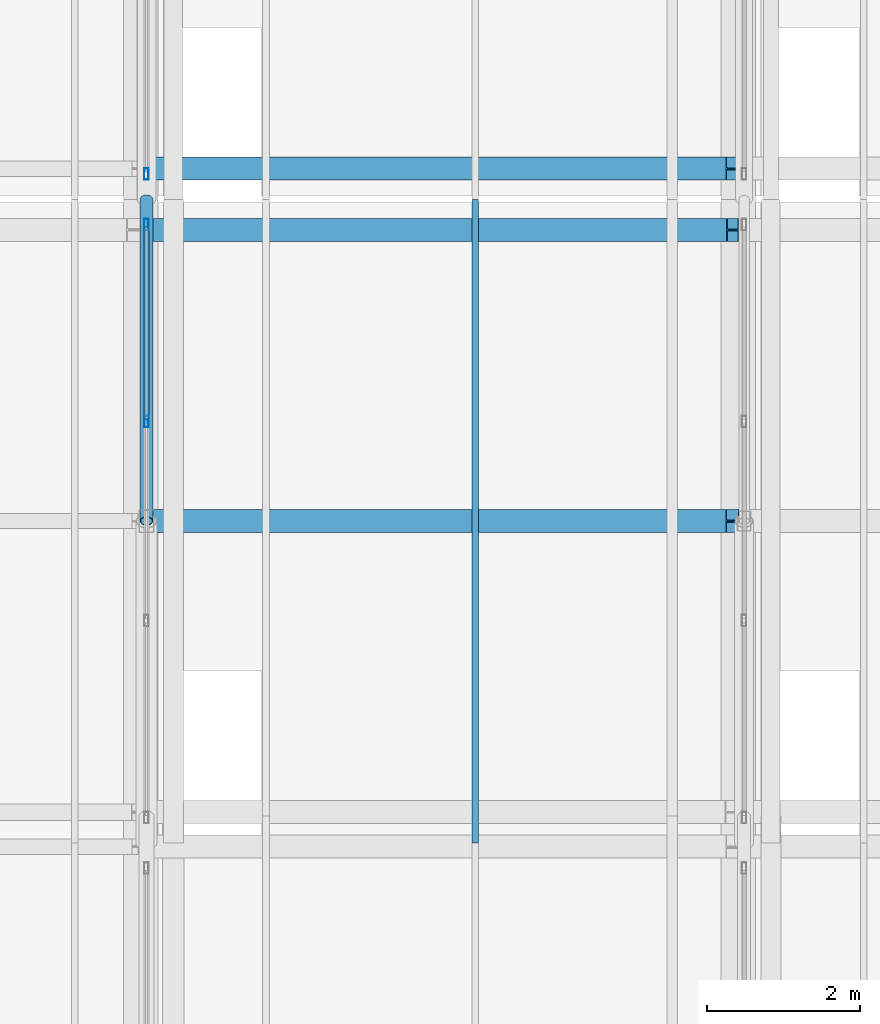
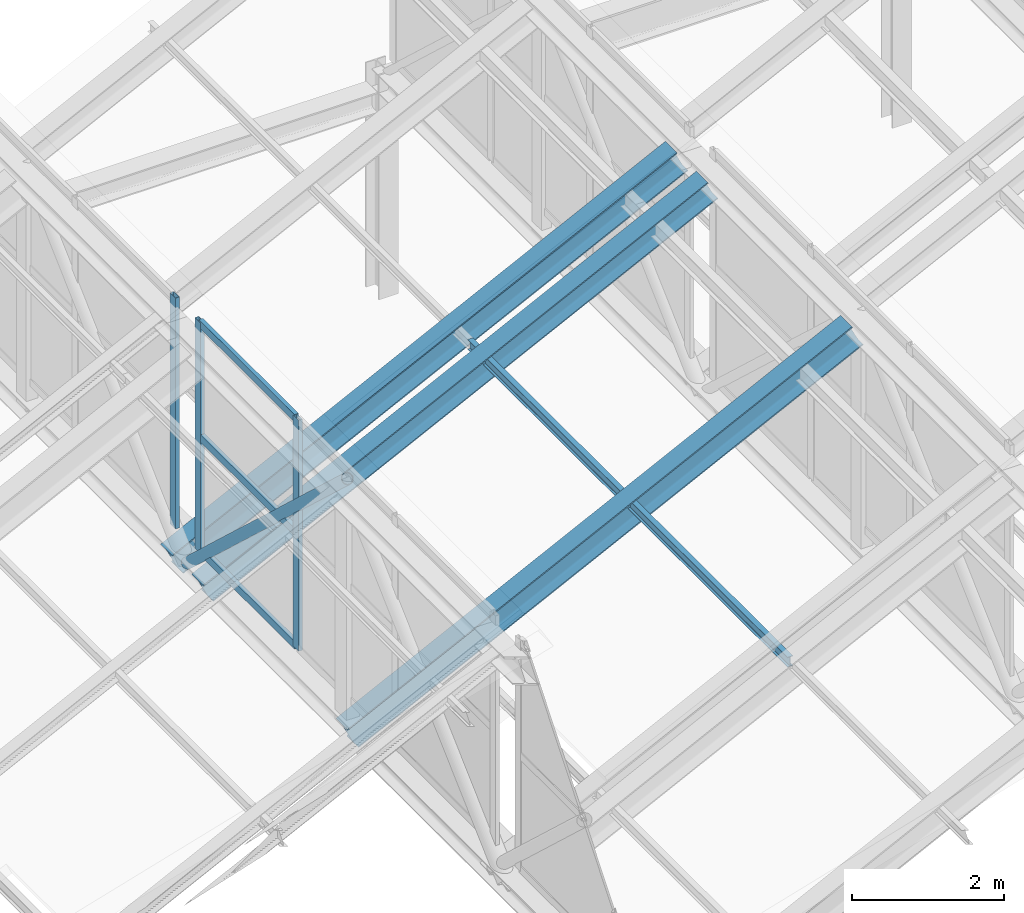
# One storey, part 32 of 101: 11 members, 2 elements without a shape of their own.
"""IFC4 building model written with IfcOpenShell, lengths in metres."""

import ifcopenshell
import ifcopenshell.guid

model = None  # the IFC model being written
_history = None  # IfcOwnerHistory: only IFC2X3 demands one
_inside = {}  # id of a spatial element -> (the spatial element, [elements in it])
_under = {}  # id of a project, library or spatial element -> (it, [spatial elements below it])
_declared = {}  # id of a project -> (the project, [libraries it declares])
_typed = {}  # id of a type object -> (the type object, [elements of that type])
_made_of = {}  # id of a material, layer set ... -> (it, [elements and type objects made of it])


def new_model(schema):
    """Start an empty IFC model of exactly this schema.

    Asked for "IFC4X3", IfcOpenShell would pick the latest addendum, in which some entities
    have other attributes; the version numbers below select the first issue.
    IFC2X3 requires an IfcOwnerHistory on every rooted entity: one is made here for all.
    """
    global model, _history
    if schema == "IFC4X3":
        model = ifcopenshell.file(schema_version=(4, 3, 0, 0))
    else:
        model = ifcopenshell.file(schema=schema)
    _inside.clear()
    _under.clear()
    _declared.clear()
    _typed.clear()
    _made_of.clear()
    _history = None
    if model.schema == "IFC2X3":
        org = make("IfcOrganization", Name="unknown")
        user = make(
            "IfcPersonAndOrganization",
            ThePerson=make("IfcPerson", FamilyName="unknown"),
            TheOrganization=org,
        )
        app = make(
            "IfcApplication",
            ApplicationDeveloper=org,
            Version="unknown",
            ApplicationFullName="unknown",
            ApplicationIdentifier="unknown",
        )
        _history = make(
            "IfcOwnerHistory",
            OwningUser=user,
            OwningApplication=app,
            ChangeAction="ADDED",
            CreationDate=0,
        )
    return model


def make(cls, **values):
    """One entity of the class cls with the attributes given. An attribute that is None is left unset."""
    return model.create_entity(
        cls, **{name: value for name, value in values.items() if value is not None}
    )


def rooted(cls, **values):
    """An entity with a GlobalId (a new one), such as an element, a storey or a relation."""
    return make(cls, GlobalId=ifcopenshell.guid.new(), OwnerHistory=_history, **values)


def si_unit(unit_type, name, prefix=None):
    """IfcSIUnit, for example si_unit("LENGTHUNIT", "METRE", prefix="MILLI")."""
    return make("IfcSIUnit", UnitType=unit_type, Prefix=prefix, Name=name)


def assignment(units):
    """IfcUnitAssignment: the units of a project."""
    return None if units is None else make("IfcUnitAssignment", Units=units)


def point(xyz):
    """IfcCartesianPoint."""
    return None if xyz is None else make("IfcCartesianPoint", Coordinates=xyz)


def direction(xyz):
    """IfcDirection."""
    return None if xyz is None else make("IfcDirection", DirectionRatios=xyz)


def frame(location, z_axis=None, x_axis=None):
    """IfcAxis2Placement3D, a coordinate frame: its origin and axes. An axis left out is left unset."""
    return make(
        "IfcAxis2Placement3D",
        Location=point(location),
        Axis=direction(z_axis),
        RefDirection=direction(x_axis),
    )


def frame_2d(location, x_axis=None):
    """IfcAxis2Placement2D, a coordinate frame in the plane: its origin and x axis."""
    return make(
        "IfcAxis2Placement2D", Location=point(location), RefDirection=direction(x_axis)
    )


def origin():
    """The frame at (0, 0, 0) with its axes left unset."""
    return frame((0.0, 0.0, 0.0))


def origin_2d():
    """The frame at (0, 0) in the plane with its x axis left unset."""
    return frame_2d((0.0, 0.0))


def place(relative_to, where):
    """IfcLocalPlacement: puts the frame where relative to a parent placement (None: the world)."""
    return make(
        "IfcLocalPlacement", PlacementRelTo=relative_to, RelativePlacement=where
    )


def context(
    kind, dimensions, precision=None, world=None, true_north=None, identifier=None
):
    """IfcGeometricRepresentationContext, for example the 3D "Model" context."""
    return make(
        "IfcGeometricRepresentationContext",
        ContextIdentifier=identifier,
        ContextType=kind,
        CoordinateSpaceDimension=dimensions,
        Precision=precision,
        WorldCoordinateSystem=world,
        TrueNorth=true_north,
    )


def subcontext(parent, identifier, kind, view, scale=None):
    """IfcGeometricRepresentationSubContext, for example "Body" below "Model"."""
    return make(
        "IfcGeometricRepresentationSubContext",
        ContextIdentifier=identifier,
        ContextType=kind,
        ParentContext=parent,
        TargetScale=scale,
        TargetView=view,
    )


def project(units=None, contexts=None):
    """IfcProject with its units and contexts."""
    return rooted(
        "IfcProject",
        Name="project",
        RepresentationContexts=contexts,
        UnitsInContext=assignment(units),
    )


def spatial(cls, under=None, at=None, **own):
    """A site, building, storey or space (cls), placed at a placement, below another one or the project."""
    s = rooted(cls, ObjectPlacement=at, **own)
    if under is not None:
        _under.setdefault(under.id(), (under, []))[1].append(s)
    return s


def profile(cls, at=None, kind="AREA", **sizes):
    """A parametric profile (cls). Its sizes go by their IFC names, for example OverallWidth=200.0."""
    return make(cls, ProfileType=kind, Position=at, **sizes)


def hollow_rectangle(**sizes):
    """IfcRectangleHollowProfileDef."""
    return profile("IfcRectangleHollowProfileDef", **sizes)


def hollow_circle(**sizes):
    """IfcCircleHollowProfileDef."""
    return profile("IfcCircleHollowProfileDef", **sizes)


def i_section(**sizes):
    """IfcIShapeProfileDef."""
    return profile("IfcIShapeProfileDef", **sizes)


def extrude(swept, where, along, depth):
    """IfcExtrudedAreaSolid: the profile swept, set in the frame where, extruded along a direction by depth."""
    return make(
        "IfcExtrudedAreaSolid",
        SweptArea=swept,
        Position=where,
        ExtrudedDirection=direction(along),
        Depth=depth,
    )


def shape(context_of_items, identifier, shape_type, items):
    """IfcShapeRepresentation: the items that make up one representation, for example the "Body"."""
    return make(
        "IfcShapeRepresentation",
        ContextOfItems=context_of_items,
        RepresentationIdentifier=identifier,
        RepresentationType=shape_type,
        Items=items,
    )


def material(Name=None, Category=None):
    """IfcMaterial."""
    return make("IfcMaterial", Name=Name, Category=Category)


def layer(
    of_material, thickness, ventilated=None, Name=None, Category=None, Priority=None
):
    """IfcMaterialLayer: one layer of a wall or slab, of a material (None: an air gap)."""
    return make(
        "IfcMaterialLayer",
        Material=of_material,
        LayerThickness=thickness,
        IsVentilated=ventilated,
        Name=Name,
        Category=Category,
        Priority=Priority,
    )


def layer_set(layers, Name=None):
    """IfcMaterialLayerSet."""
    return make("IfcMaterialLayerSet", MaterialLayers=layers, LayerSetName=Name)


def material_profile(
    of_material, cross_section, Name=None, Category=None, Priority=None
):
    """IfcMaterialProfile: a cross section and its material."""
    return make(
        "IfcMaterialProfile",
        Name=Name,
        Material=of_material,
        Profile=cross_section,
        Priority=Priority,
        Category=Category,
    )


def profile_set(profiles, Name=None, composite=None):
    """IfcMaterialProfileSet."""
    return make(
        "IfcMaterialProfileSet",
        Name=Name,
        MaterialProfiles=profiles,
        CompositeProfile=composite,
    )


def made_of(thing, what):
    """Note that an element or type object is made of a material, layer set ...; save() writes the relation."""
    if what is not None:
        _made_of.setdefault(what.id(), (what, []))[1].append(thing)
    return thing


def type_object(cls, material=None, **own):
    """A type object (cls), such as IfcWallType, which elements share."""
    return made_of(rooted(cls, **own), material)


def element(
    cls,
    number,
    at=None,
    inside=None,
    cuts=None,
    type_object=None,
    material=None,
    context=None,
    identifier="Body",
    shape_type=None,
    held_by="IfcProductDefinitionShape",
    body=None,
    shapes=None,
    **own,
):
    """One element of the class cls, such as IfcWall. Its Tag is "e" and its number.

    at: its placement. inside: the storey or other place that contains it. cuts: it is an
    opening in that element (IfcRelVoidsElement). A single representation is given by context,
    identifier, shape_type and body (its items); several are given by shapes. held_by: the class
    of the entity that holds the representations. save() writes the other relations.
    """
    e = rooted(cls, Tag="e%d" % number, ObjectPlacement=at, **own)
    if body is not None:
        shapes = [shape(context, identifier, shape_type, body)]
    if shapes is not None:
        e.Representation = make(held_by, Representations=shapes)
    if inside is not None:
        _inside.setdefault(inside.id(), (inside, []))[1].append(e)
    if cuts is not None:
        rooted(
            "IfcRelVoidsElement", RelatingBuildingElement=cuts, RelatedOpeningElement=e
        )
    if type_object is not None:
        _typed.setdefault(type_object.id(), (type_object, []))[1].append(e)
    return made_of(e, material)


def aggregate(whole, parts):
    """IfcRelAggregates: a whole, such as a stair, and the parts it consists of."""
    return rooted("IfcRelAggregates", RelatingObject=whole, RelatedObjects=parts)


def save(model, path):
    """Write the relations noted so far, then the file.

    IfcRelAggregates (storeys below a building ...), IfcRelContainedInSpatialStructure (elements
    in a storey), IfcRelDefinesByType, IfcRelAssociatesMaterial and IfcRelDeclares: one each for
    every whole, place, type object, material and project.
    """
    for whole, parts in _under.values():
        aggregate(whole, parts)
    for where, things in _inside.values():
        rooted(
            "IfcRelContainedInSpatialStructure",
            RelatedElements=things,
            RelatingStructure=where,
        )
    for kind, things in _typed.values():
        rooted("IfcRelDefinesByType", RelatedObjects=things, RelatingType=kind)
    for what, things in _made_of.values():
        rooted("IfcRelAssociatesMaterial", RelatedObjects=things, RelatingMaterial=what)
    for by, libraries in _declared.values():
        rooted("IfcRelDeclares", RelatingContext=by, RelatedDefinitions=libraries)
    model.write(path)


model = new_model("IFC4")

# Units and contexts
model_context = context("Model", 3, precision=1e-05, world=origin(), true_north=direction((0.0, 1.0)))
body_context = subcontext(model_context, "Body", "Model", "MODEL_VIEW")
ifc_project = project(units=[si_unit("LENGTHUNIT", "METRE"), si_unit("AREAUNIT", "SQUARE_METRE"), si_unit("VOLUMEUNIT", "CUBIC_METRE"), si_unit("PLANEANGLEUNIT", "RADIAN"), si_unit("MASSUNIT", "GRAM", prefix="KILO")], contexts=[model_context])

# Site, building, storey
site_placement = place(None, origin())
site = spatial("IfcSite", under=ifc_project, at=site_placement, CompositionType="ELEMENT")
building_placement = place(site_placement, origin())
building = spatial("IfcBuilding", under=site, at=building_placement, Name="Zizhar Promenade General Hospital", CompositionType="ELEMENT")
storey_placement = place(building_placement, frame((0.0, 0.0, 14.39990234375)))
storey = spatial("IfcBuildingStorey", under=building, at=storey_placement, Name="L03", CompositionType="ELEMENT", Elevation=14.39990234375)

# Curtain wall, members
ifc_material_1 = material(Name="Anodised aluminium 6063-T6 and low-E glass", Category="aluminium")
ifc_layer_1 = layer(ifc_material_1, 0.159912109375)
ifc_layer_set_1 = layer_set([ifc_layer_1], Name="Anodised aluminium 6063-T6 and low-E glass")
curtain_wall_type_1 = type_object("IfcCurtainWallType", Name="CW-SAW-NL2", PredefinedType="NOTDEFINED", material=ifc_layer_set_1)
curtain_wall_1_placement = place(storey_placement, origin())
curtain_wall_1 = element("IfcCurtainWall", 1, at=curtain_wall_1_placement, inside=storey, type_object=curtain_wall_type_1, Name="Sawtooth Clerestory Light B4-S2", PredefinedType="NOTDEFINED")
ifc_material_2 = material(Name="Anodised aluminium 6063-T6", Category="aluminium")
ifc_material_profile_1 = material_profile(ifc_material_2, hollow_rectangle(XDim=0.06005859375, YDim=0.14990234375, WallThickness=0.00390625, at=origin_2d()))
ifc_profile_set_1 = profile_set([ifc_material_profile_1], Name="Anodised aluminium 6063-T6")
member_type_1 = type_object("IfcMemberType", Name="CWM-ALU-150x60", PredefinedType="MULLION", material=ifc_profile_set_1)
member_1_placement = place(storey_placement, frame((101.39990234375, 39.10009765625, 3.85009765625), z_axis=(0.0, 0.0, 1.0), x_axis=(-1.0, 0.0, 0.0)))
member_1 = element("IfcMember", 2, at=member_1_placement, type_object=member_type_1, Name="CW-04 mullion 3", PredefinedType="MULLION", context=body_context, shape_type="SweptSolid", body=[
    extrude(hollow_rectangle(XDim=0.06005859375, YDim=0.14990234375, WallThickness=0.00390625, at=origin_2d()), origin(), (0.0, 0.0, 1.0), 3.699951171875),
])
member_2_placement = place(storey_placement, frame((101.39990234375, 41.669921875, 3.85009765625), z_axis=(0.0, 0.0, 1.0), x_axis=(-1.0, 0.0, 0.0)))
member_2 = element("IfcMember", 3, at=member_2_placement, type_object=member_type_1, Name="CW-04 mullion 4", PredefinedType="MULLION", context=body_context, shape_type="SweptSolid", body=[
    extrude(hollow_rectangle(XDim=0.06005859375, YDim=0.14990234375, WallThickness=0.00390625, at=origin_2d()), origin(), (0.0, 0.0, 1.0), 3.699951171875),
])

# Curtain wall, member
ifc_material_3 = material(Name="Anodised aluminium 6063-T6 and low-E glass", Category="aluminium")
ifc_layer_2 = layer(ifc_material_3, 0.159912109375)
ifc_layer_set_2 = layer_set([ifc_layer_2], Name="Anodised aluminium 6063-T6 and low-E glass")
curtain_wall_type_2 = type_object("IfcCurtainWallType", Name="CW-SAW-NL3", PredefinedType="NOTDEFINED", material=ifc_layer_set_2)
curtain_wall_2_placement = place(storey_placement, origin())
curtain_wall_2 = element("IfcCurtainWall", 4, at=curtain_wall_2_placement, inside=storey, type_object=curtain_wall_type_2, Name="Sawtooth Clerestory Light B4-S3", PredefinedType="NOTDEFINED")
member_3_placement = place(storey_placement, frame((101.39990234375, 42.330078125, 3.85009765625), z_axis=(0.0, 0.0, 1.0), x_axis=(-1.0, 0.0, 0.0)))
member_3 = element("IfcMember", 5, at=member_3_placement, type_object=member_type_1, Name="CW-05 mullion 1", PredefinedType="MULLION", context=body_context, shape_type="SweptSolid", body=[
    extrude(hollow_rectangle(XDim=0.06005859375, YDim=0.14990234375, WallThickness=0.00390625, at=origin_2d()), origin(), (0.0, 0.0, 1.0), 3.699951171875),
])
aggregate(curtain_wall_2, [member_3])

# Member
ifc_material_4 = material(Name="Anodised aluminium 6063-T6", Category="aluminium")
ifc_material_profile_2 = material_profile(ifc_material_4, hollow_rectangle(XDim=0.06005859375, YDim=0.1201171875, WallThickness=0.00390625, at=origin_2d()))
ifc_profile_set_2 = profile_set([ifc_material_profile_2], Name="Anodised aluminium 6063-T6")
member_type_2 = type_object("IfcMemberType", Name="CWT-ALU-120x60", PredefinedType="USERDEFINED", material=ifc_profile_set_2)
member_4_placement = place(storey_placement, frame((101.39990234375, 39.1298828125, 3.880126953125), z_axis=(0.0, 1.0, 0.0), x_axis=(-1.0, 0.0, 0.0)))
member_4 = element("IfcMember", 6, at=member_4_placement, type_object=member_type_2, Name="CW-04 transom 3.1", ObjectType="TRANSOM", PredefinedType="USERDEFINED", context=body_context, shape_type="SweptSolid", body=[
    extrude(hollow_rectangle(XDim=0.06005859375, YDim=0.1201171875, WallThickness=0.00390625, at=origin_2d()), origin(), (0.0, 0.0, 1.0), 2.510009765625),
])

member_5_placement = place(storey_placement, frame((101.39990234375, 39.1298828125, 5.7001953125), z_axis=(0.0, 1.0, 0.0), x_axis=(-1.0, 0.0, 0.0)))
member_5 = element("IfcMember", 7, at=member_5_placement, type_object=member_type_2, Name="CW-04 transom 3.2", ObjectType="TRANSOM", PredefinedType="USERDEFINED", context=body_context, shape_type="SweptSolid", body=[
    extrude(hollow_rectangle(XDim=0.06005859375, YDim=0.1201171875, WallThickness=0.00390625, at=origin_2d()), origin(), (0.0, 0.0, 1.0), 2.510009765625),
])

member_6_placement = place(storey_placement, frame((101.39990234375, 39.1298828125, 7.52001953125), z_axis=(0.0, 1.0, 0.0), x_axis=(-1.0, 0.0, 0.0)))
member_6 = element("IfcMember", 8, at=member_6_placement, type_object=member_type_2, Name="CW-04 transom 3.3", ObjectType="TRANSOM", PredefinedType="USERDEFINED", context=body_context, shape_type="SweptSolid", body=[
    extrude(hollow_rectangle(XDim=0.06005859375, YDim=0.1201171875, WallThickness=0.00390625, at=origin_2d()), origin(), (0.0, 0.0, 1.0), 2.510009765625),
])

aggregate(curtain_wall_1, [member_1, member_2, member_4, member_5, member_6])

# Members
ifc_material_5 = material(Name="Steel S355", Category="steel")
ifc_material_profile_3 = material_profile(ifc_material_5, hollow_circle(Radius=0.084228515625, WallThickness=0.008056640625, at=origin_2d()))
ifc_profile_set_3 = profile_set([ifc_material_profile_3], Name="Steel S355")
member_type_3 = type_object("IfcMemberType", Name="MEM-DIAG-CHS168", PredefinedType="BRACE", material=ifc_profile_set_3)
member_7_placement = place(storey_placement, frame((101.39990234375, 42.0, 3.4501953125), z_axis=(0.0, -0.732798043082, 0.680446197767), x_axis=(1.0, 0.0, 0.0)))
element("IfcMember", 9, at=member_7_placement, inside=storey, type_object=member_type_3, Name="Sawtooth Truss Frame 5 Diagonal B2", PredefinedType="BRACE", context=body_context, shape_type="SweptSolid", body=[
    extrude(hollow_circle(Radius=0.084228515625, WallThickness=0.008056640625, at=origin_2d()), origin(), (0.0, 0.0, 1.0), 5.7314453125),
])
ifc_material_6 = material(Name="Steel S355", Category="steel")
ifc_material_profile_4 = material_profile(ifc_material_6, i_section(OverallWidth=0.08203125, OverallDepth=0.159912109375, WebThickness=0.0048828125, FlangeThickness=0.00732421875, FilletRadius=0.009033203125, at=origin_2d()))
ifc_profile_set_4 = profile_set([ifc_material_profile_4], Name="Steel S355")
member_type_4 = type_object("IfcMemberType", Name="MEM-PURL-IPE160", PredefinedType="PURLIN", material=ifc_profile_set_4)
member_8_placement = place(storey_placement, frame((105.68994140625, 33.60009765625, 5.464599609375), z_axis=(0.0, 1.0, 0.0), x_axis=(-1.0, 0.0, 0.0)))
element("IfcMember", 10, at=member_8_placement, inside=storey, type_object=member_type_4, Name="Sawtooth Bay 5 Purlin 2-2", PredefinedType="PURLIN", context=body_context, shape_type="SweptSolid", body=[
    extrude(i_section(OverallWidth=0.08203125, OverallDepth=0.159912109375, WebThickness=0.0048828125, FlangeThickness=0.00732421875, FilletRadius=0.009033203125, at=origin_2d()), origin(), (0.0, 0.0, 1.0), 8.39990234375),
])
ifc_material_7 = material(Name="Steel S355", Category="steel")
ifc_material_profile_5 = material_profile(ifc_material_7, i_section(OverallWidth=0.300048828125, OverallDepth=0.35009765625, WebThickness=0.010009765625, FlangeThickness=0.017578125, FilletRadius=0.027099609375, at=origin_2d()))
ifc_profile_set_5 = profile_set([ifc_material_profile_5], Name="Steel S355")
member_type_5 = type_object("IfcMemberType", Name="MEM-RAFT-HEA360", PredefinedType="RAFTER", material=ifc_profile_set_5)
member_9_placement = place(storey_placement, frame((101.39990234375, 41.60009765625, 3.298095703125), z_axis=(0.896721845806, 0.0, 0.442594544989), x_axis=(0.0, 1.0, 0.0)))
element("IfcMember", 11, at=member_9_placement, inside=storey, type_object=member_type_5, Name="Sawtooth Bay 5 Rafter 2-3", PredefinedType="RAFTER", context=body_context, shape_type="SweptSolid", body=[
    extrude(i_section(OverallWidth=0.300048828125, OverallDepth=0.35009765625, WebThickness=0.010009765625, FlangeThickness=0.017578125, FilletRadius=0.027099609375, at=origin_2d()), origin(), (0.0, 0.0, 1.0), 8.53125),
])
ifc_material_8 = material(Name="Steel S355", Category="steel")
ifc_material_profile_6 = material_profile(ifc_material_8, i_section(OverallWidth=0.300048828125, OverallDepth=0.389892578125, WebThickness=0.010986328125, FlangeThickness=0.01904296875, FilletRadius=0.027099609375, at=origin_2d()))
ifc_profile_set_6 = profile_set([ifc_material_profile_6], Name="Steel S355")
member_type_6 = type_object("IfcMemberType", Name="MEM-RAFT-HEA400", PredefinedType="RAFTER", material=ifc_profile_set_6)
for number, where, z_axis, x_axis, name in (
    (12, (101.39990234375, 37.800048828125, 3.27587890625), (0.896721845806, 0.0, 0.442594544989), (0.0, 1.0, 0.0), "Sawtooth Bay 5 Rafter 2-2"),
    (13, (101.39990234375, 42.39990234375, 3.27587890625), (0.896721845806, 0.0, 0.442594544989), (0.0, 1.0, 0.0), "Sawtooth Bay 5 Rafter 3-1"),
):
    element("IfcMember", number, at=place(storey_placement, frame(where, z_axis=z_axis, x_axis=x_axis)), inside=storey, type_object=member_type_6, Name=name, PredefinedType="RAFTER", context=body_context, shape_type="SweptSolid", body=[
        extrude(i_section(OverallWidth=0.300048828125, OverallDepth=0.389892578125, WebThickness=0.010986328125, FlangeThickness=0.01904296875, FilletRadius=0.027099609375, at=origin_2d()), origin(), (0.0, 0.0, 1.0), 8.53125),
    ])

save(model, "model.ifc")
